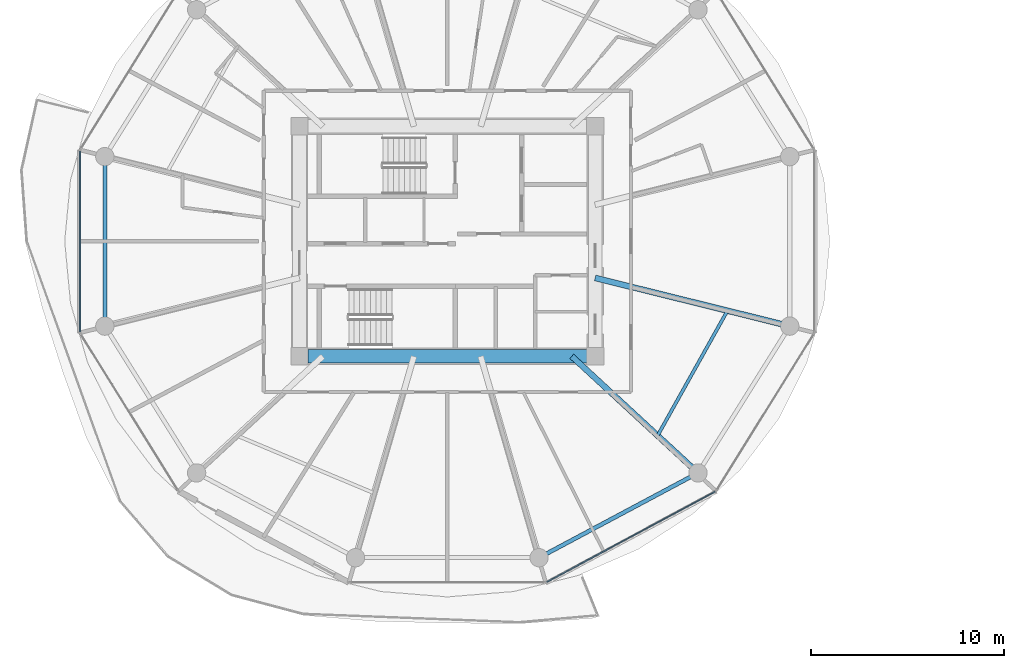
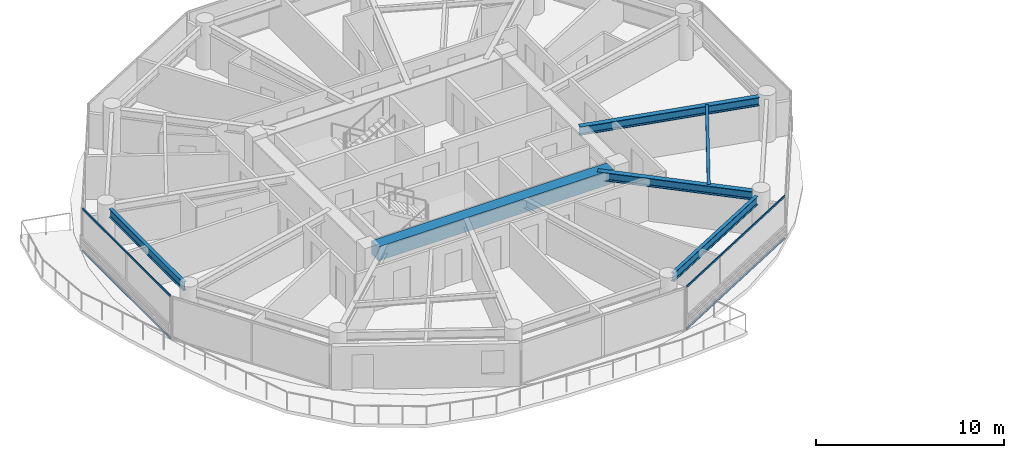
# One storey, part 3 of 28: 6 beams, 4 members, 2 elements without a shape of their own.
"""IFC4 building model written with IfcOpenShell, lengths in metres."""

from ifc_helpers import new_model, si_unit, direction, frame, origin, origin_2d, place, context, subcontext, project, spatial, rectangle, i_section, extrude, source, transform, mapped, material, layer, layer_set, material_profile, profile_set, type_object, type_shapes, element, aggregate, save


model = new_model("IFC4")

# Units and contexts
model_context = context("Model", 3, precision=1e-05, world=origin(), true_north=direction((0.0, 1.0)))
body_context = subcontext(model_context, "Body", "Model", "MODEL_VIEW")
ifc_project = project(units=[si_unit("LENGTHUNIT", "METRE"), si_unit("AREAUNIT", "SQUARE_METRE"), si_unit("VOLUMEUNIT", "CUBIC_METRE"), si_unit("PLANEANGLEUNIT", "RADIAN"), si_unit("MASSUNIT", "GRAM", prefix="KILO")], contexts=[model_context])

# Site, building, storey
site_placement = place(None, origin())
site = spatial("IfcSite", under=ifc_project, at=site_placement, CompositionType="ELEMENT")
building_placement = place(site_placement, origin())
building = spatial("IfcBuilding", under=site, at=building_placement, Name="Norrkilde Senior Care Towers", CompositionType="ELEMENT")
storey_placement = place(building_placement, frame((0.0, 0.0, 39.89990234375)))
storey = spatial("IfcBuildingStorey", under=building, at=storey_placement, Name="L11", CompositionType="ELEMENT", Elevation=39.89990234375)

# Beams
ifc_material_1 = material(Name="Concrete C60/75", Category="concrete")
ifc_material_profile_1 = material_profile(ifc_material_1, rectangle(XDim=0.699951171875, YDim=0.89990234375, at=origin_2d()), Name="RC BM 700x900")
ifc_profile_set_1 = profile_set([ifc_material_profile_1], Name="Concrete C60/75")
beam_type_1 = type_object("IfcBeamType", Name="Core Coupling Girder 700x900", PredefinedType="USERDEFINED", material=ifc_profile_set_1)
shared_shape_1 = source(origin(), body_context, "Body", "SweptSolid", [
    extrude(rectangle(XDim=0.699951171875, YDim=0.89990234375, at=origin_2d()), origin(), (0.0, 0.0, 1.0), 14.43994140625),
])
type_shapes(beam_type_1, [shared_shape_1])
beam_1_placement = place(storey_placement, frame((-35.219970703125, -5.949951171875, 2.340087890625), z_axis=(1.0, 0.0, 0.0), x_axis=(0.0, 1.0, 0.0)))
element("IfcBeam", 1, at=beam_1_placement, inside=storey, type_object=beam_type_1, Name="L11 Core W S Coupling Girder", ObjectType="GIRDER", PredefinedType="USERDEFINED", context=body_context, shape_type="MappedRepresentation", body=[
    mapped(shared_shape_1, transform((0.0, 0.0, 0.0), x_axis=(1.0, 0.0, 0.0), y_axis=(0.0, 1.0, 0.0), z_axis=(0.0, 0.0, 1.0), scale=1.0)),
])
ifc_material_2 = material(Name="Steel S355", Category="steel")
ifc_material_profile_2 = material_profile(ifc_material_2, i_section(OverallWidth=0.300048828125, OverallDepth=0.550048828125, WebThickness=0.014892578125, FlangeThickness=0.029052734375, FilletRadius=0.027099609375, at=origin_2d()), Name="HEB 550")
ifc_profile_set_2 = profile_set([ifc_material_profile_2], Name="Steel S355")
beam_type_2 = type_object("IfcBeamType", Name="Radial Floor Beam Z1 HEB550", PredefinedType="BEAM", material=ifc_profile_set_2)
shared_shape_2 = source(origin(), body_context, "Body", "SweptSolid", [
    extrude(i_section(OverallWidth=0.300048828125, OverallDepth=0.550048828125, WebThickness=0.014892578125, FlangeThickness=0.029052734375, FilletRadius=0.027099609375, at=origin_2d()), origin(), (0.0, 0.0, 1.0), 9.94384765625),
])
beam_2_placement = place(storey_placement, frame((-20.35009765625, -1.893310546875, 2.51513671875), z_axis=(0.970707425182, -0.240264634718, 0.0), x_axis=(0.240264634718, 0.970707425182, 0.0)))
element("IfcBeam", 2, at=beam_2_placement, inside=storey, type_object=beam_type_2, Name="L11 Drum W Radial Floor Beam 12", PredefinedType="BEAM", context=body_context, shape_type="MappedRepresentation", body=[
    mapped(shared_shape_2, transform((0.0, 0.0, 0.0), x_axis=(1.0, 0.0, 0.0), y_axis=(0.0, 1.0, 0.0), z_axis=(0.0, 0.0, 1.0), scale=1.0)),
])
ifc_material_profile_3 = material_profile(ifc_material_2, i_section(OverallWidth=0.2099609375, OverallDepth=0.550048828125, WebThickness=0.010986328125, FlangeThickness=0.01708984375, FilletRadius=0.02392578125, at=origin_2d()), Name="IPE 550")
ifc_profile_set_3 = profile_set([ifc_material_profile_3], Name="Steel S355")
beam_type_3 = type_object("IfcBeamType", Name="Perimeter Ring Spandrel Z1 IPE550", PredefinedType="SPANDREL", material=ifc_profile_set_3)
shared_shape_3 = source(origin(), body_context, "Body", "SweptSolid", [
    extrude(i_section(OverallWidth=0.2099609375, OverallDepth=0.550048828125, WebThickness=0.010986328125, FlangeThickness=0.01708984375, FilletRadius=0.02392578125, at=origin_2d()), origin(), (0.0, 0.0, 1.0), 8.452880859375),
])
beam_3_placement = place(storey_placement, frame((-22.866943359375, -16.167724609375, 2.51513671875), z_axis=(0.882368931134, 0.470558252898, 0.0), x_axis=(-0.470558252898, 0.882368931134, 0.0)))
element("IfcBeam", 3, at=beam_3_placement, inside=storey, type_object=beam_type_3, Name="L11 Drum W Perimeter Spandrel 10", PredefinedType="SPANDREL", context=body_context, shape_type="MappedRepresentation", body=[
    mapped(shared_shape_3, transform((0.0, 0.0, 0.0), x_axis=(1.0, 0.0, 0.0), y_axis=(0.0, 1.0, 0.0), z_axis=(0.0, 0.0, 1.0), scale=1.0)),
])
shared_shape_4 = source(origin(), body_context, "Body", "SweptSolid", [
    extrude(i_section(OverallWidth=0.300048828125, OverallDepth=0.550048828125, WebThickness=0.014892578125, FlangeThickness=0.029052734375, FilletRadius=0.027099609375, at=origin_2d()), origin(), (0.0, 0.0, 1.0), 8.459716796875),
])
type_shapes(beam_type_2, [shared_shape_2, shared_shape_4])
beam_4_placement = place(storey_placement, frame((-21.55859375, -5.949951171875, 2.51513671875), z_axis=(0.734573269108, -0.678529374686, 0.0), x_axis=(0.678529374686, 0.734573269108, 0.0)))
element("IfcBeam", 4, at=beam_4_placement, inside=storey, type_object=beam_type_2, Name="L11 Drum W Radial Floor Beam 11", PredefinedType="BEAM", context=body_context, shape_type="MappedRepresentation", body=[
    mapped(shared_shape_4, transform((0.0, 0.0, 0.0), x_axis=(1.0, 0.0, 0.0), y_axis=(0.0, 1.0, 0.0), z_axis=(0.0, 0.0, 1.0), scale=1.0)),
])
shared_shape_5 = source(origin(), body_context, "Body", "SweptSolid", [
    extrude(i_section(OverallWidth=0.2099609375, OverallDepth=0.550048828125, WebThickness=0.010986328125, FlangeThickness=0.01708984375, FilletRadius=0.02392578125, at=origin_2d()), origin(), (0.0, 0.0, 1.0), 7.90380859375),
])
type_shapes(beam_type_3, [shared_shape_3, shared_shape_5])
beam_5_placement = place(storey_placement, frame((-45.724853515625, 3.951904296875, 2.51513671875), z_axis=(0.0, -1.0, 0.0), x_axis=(1.0, 0.0, 0.0)))
element("IfcBeam", 5, at=beam_5_placement, inside=storey, type_object=beam_type_3, Name="L11 Drum W Perimeter Spandrel 06", PredefinedType="SPANDREL", context=body_context, shape_type="MappedRepresentation", body=[
    mapped(shared_shape_5, transform((0.0, 0.0, 0.0), x_axis=(1.0, 0.0, 0.0), y_axis=(0.0, 1.0, 0.0), z_axis=(0.0, 0.0, 1.0), scale=1.0)),
])
ifc_material_profile_4 = material_profile(ifc_material_2, i_section(OverallWidth=0.169921875, OverallDepth=0.360107421875, WebThickness=0.008056640625, FlangeThickness=0.0126953125, FilletRadius=0.01806640625, at=origin_2d()), Name="IPE 360")
ifc_profile_set_4 = profile_set([ifc_material_profile_4], Name="Steel S355")
beam_type_4 = type_object("IfcBeamType", Name="Secondary Floor Joist IPE360", PredefinedType="JOIST", material=ifc_profile_set_4)
shared_shape_6 = source(origin(), body_context, "Body", "SweptSolid", [
    extrude(i_section(OverallWidth=0.169921875, OverallDepth=0.360107421875, WebThickness=0.008056640625, FlangeThickness=0.0126953125, FilletRadius=0.01806640625, at=origin_2d()), origin(), (0.0, 0.0, 1.0), 7.40771484375),
])
type_shapes(beam_type_4, [shared_shape_6])
beam_6_placement = place(storey_placement, frame((-17.115478515625, -10.05419921875, 2.610107421875), z_axis=(0.488167754092, 0.872749817453, 0.0), x_axis=(-0.872749817453, 0.488167754092, 0.0)))
element("IfcBeam", 6, at=beam_6_placement, inside=storey, type_object=beam_type_4, Name="L11 Drum W Secondary Floor Joist 4", PredefinedType="JOIST", context=body_context, shape_type="MappedRepresentation", body=[
    mapped(shared_shape_6, transform((0.0, 0.0, 0.0), x_axis=(1.0, 0.0, 0.0), y_axis=(0.0, 1.0, 0.0), z_axis=(0.0, 0.0, 1.0), scale=1.0)),
])

# Curtain wall, members
ifc_material_3 = material(Name="Triple Low-E Insulated Glazing", Category="glass")
ifc_layer = layer(ifc_material_3, 0.199951171875)
ifc_layer_set = layer_set([ifc_layer], Name="Triple Low-E Insulated Glazing")
curtain_wall_type = type_object("IfcCurtainWallType", Name="CW2 Zone 1 Memory Care Curtain Wall", PredefinedType="NOTDEFINED", material=ifc_layer_set)
curtain_wall_1_placement = place(storey_placement, origin())
curtain_wall_1 = element("IfcCurtainWall", 7, at=curtain_wall_1_placement, inside=storey, type_object=curtain_wall_type, Name="L11 Drum W Curtain Wall 09", PredefinedType="NOTDEFINED")
ifc_material_4 = material(Name="Anodised Aluminium", Category="aluminium")
ifc_material_profile_5 = material_profile(ifc_material_4, rectangle(XDim=0.06005859375, YDim=0.1201171875, at=origin_2d()), Name="ALU TRAN 60x120")
ifc_profile_set_5 = profile_set([ifc_material_profile_5], Name="Anodised Aluminium")
member_type = type_object("IfcMemberType", Name="Curtain Wall Transom Typical 60x120", PredefinedType="USERDEFINED", material=ifc_profile_set_5)
shared_shape_7 = source(origin(), body_context, "Body", "SweptSolid", [
    extrude(rectangle(XDim=0.06005859375, YDim=0.1201171875, at=origin_2d()), origin(), (0.0, 0.0, 1.0), 9.880859375),
])
member_1_placement = place(storey_placement, frame((-14.141357421875, -12.95654296875, 0.030029296875), z_axis=(-0.881267204043, -0.47261836092, 0.0), x_axis=(0.47261836092, -0.881267204043, 0.0)))
member_1 = element("IfcMember", 8, at=member_1_placement, type_object=member_type, Name="CW-2 transom 1.1", ObjectType="TRANSOM", PredefinedType="USERDEFINED", context=body_context, shape_type="MappedRepresentation", body=[
    mapped(shared_shape_7, transform((0.0, 0.0, 0.0), x_axis=(1.0, 0.0, 0.0), y_axis=(0.0, 1.0, 0.0), z_axis=(0.0, 0.0, 1.0), scale=1.0)),
])
member_2_placement = place(storey_placement, frame((-14.141357421875, -12.95654296875, 2.760009765625), z_axis=(-0.881267204043, -0.47261836092, 0.0), x_axis=(0.47261836092, -0.881267204043, 0.0)))
member_2 = element("IfcMember", 9, at=member_2_placement, type_object=member_type, Name="CW-2 transom 1.2", ObjectType="TRANSOM", PredefinedType="USERDEFINED", context=body_context, shape_type="MappedRepresentation", body=[
    mapped(shared_shape_7, transform((0.0, 0.0, 0.0), x_axis=(1.0, 0.0, 0.0), y_axis=(0.0, 1.0, 0.0), z_axis=(0.0, 0.0, 1.0), scale=1.0)),
])
aggregate(curtain_wall_1, [member_1, member_2])

curtain_wall_2_placement = place(storey_placement, origin())
curtain_wall_2 = element("IfcCurtainWall", 10, at=curtain_wall_2_placement, inside=storey, type_object=curtain_wall_type, Name="L11 Drum W Curtain Wall 05", PredefinedType="NOTDEFINED")
shared_shape_8 = source(origin(), body_context, "Body", "SweptSolid", [
    extrude(rectangle(XDim=0.06005859375, YDim=0.1201171875, at=origin_2d()), origin(), (0.0, 0.0, 1.0), 9.33251953125),
])
type_shapes(member_type, [shared_shape_7, shared_shape_8])
member_3_placement = place(storey_placement, frame((-47.009521484375, -4.666259765625, 0.030029296875), z_axis=(0.0, 1.0, 0.0), x_axis=(-1.0, 0.0, 0.0)))
member_3 = element("IfcMember", 11, at=member_3_placement, type_object=member_type, Name="CW-2 transom 1.1", ObjectType="TRANSOM", PredefinedType="USERDEFINED", context=body_context, shape_type="MappedRepresentation", body=[
    mapped(shared_shape_8, transform((0.0, 0.0, 0.0), x_axis=(1.0, 0.0, 0.0), y_axis=(0.0, 1.0, 0.0), z_axis=(0.0, 0.0, 1.0), scale=1.0)),
])
member_4_placement = place(storey_placement, frame((-47.009521484375, -4.666259765625, 2.760009765625), z_axis=(0.0, 1.0, 0.0), x_axis=(-1.0, 0.0, 0.0)))
member_4 = element("IfcMember", 12, at=member_4_placement, type_object=member_type, Name="CW-2 transom 1.2", ObjectType="TRANSOM", PredefinedType="USERDEFINED", context=body_context, shape_type="MappedRepresentation", body=[
    mapped(shared_shape_8, transform((0.0, 0.0, 0.0), x_axis=(1.0, 0.0, 0.0), y_axis=(0.0, 1.0, 0.0), z_axis=(0.0, 0.0, 1.0), scale=1.0)),
])
aggregate(curtain_wall_2, [member_3, member_4])

save(model, "model.ifc")
